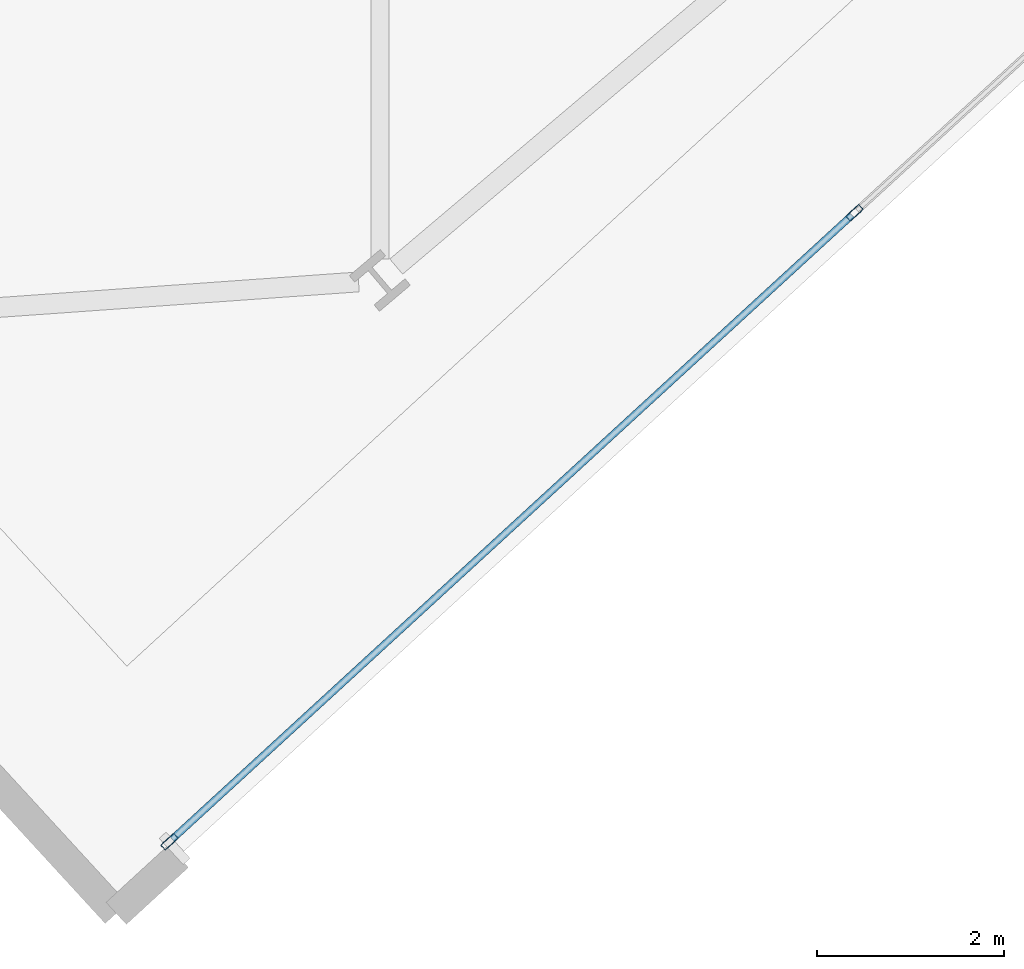
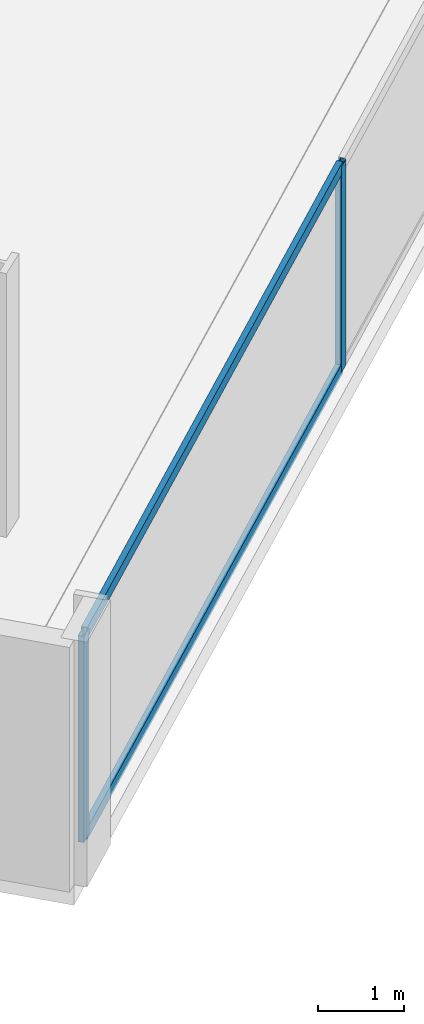
# One storey, part 6 of 32: 4 members, 1 element without a shape of its own.
"""IFC4 building model written with IfcOpenShell, lengths in metres."""

from ifc_helpers import new_model, si_unit, direction, frame, origin, origin_2d, place, context, subcontext, project, spatial, hollow_rectangle, extrude, material, material_profile, profile_set, type_object, element, aggregate, save


model = new_model("IFC4")

# Units and contexts
model_context = context("Model", 3, precision=1e-05, world=origin(), true_north=direction((0.0, 1.0)))
body_context = subcontext(model_context, "Body", "Model", "MODEL_VIEW")
ifc_project = project(units=[si_unit("LENGTHUNIT", "METRE"), si_unit("AREAUNIT", "SQUARE_METRE"), si_unit("VOLUMEUNIT", "CUBIC_METRE"), si_unit("PLANEANGLEUNIT", "RADIAN"), si_unit("MASSUNIT", "GRAM", prefix="KILO")], contexts=[model_context])

# Site, building, storey
site_placement = place(None, origin())
site = spatial("IfcSite", under=ifc_project, at=site_placement, CompositionType="ELEMENT")
building_placement = place(site_placement, origin())
building = spatial("IfcBuilding", under=site, at=building_placement, Name="Haldenkirk Collegiate Tower", CompositionType="ELEMENT")
storey_placement = place(building_placement, frame((0.0, 0.0, 170.699951171875)))
storey = spatial("IfcBuildingStorey", under=building, at=storey_placement, Name="L42", CompositionType="ELEMENT", Elevation=170.699951171875)

# Curtain wall, members
ifc_material = material(Name="Anodised architectural bronze aluminium", Category="aluminium")
curtain_wall_type = type_object("IfcCurtainWallType", Name="CW-SYS2-CONCAVE", PredefinedType="USERDEFINED", material=ifc_material)
curtain_wall_placement = place(storey_placement, origin())
curtain_wall = element("IfcCurtainWall", 1, at=curtain_wall_placement, inside=storey, type_object=curtain_wall_type, Name="L42 South concave recessed bronze-anodised curtain wall", ObjectType="UNITISED CURTAIN WALL", PredefinedType="USERDEFINED")
ifc_material_profile_1 = material_profile(ifc_material, hollow_rectangle(XDim=0.074951171875, YDim=0.18994140625, WallThickness=0.0048828125, at=origin_2d()), Name="CW-MUL-02")
ifc_profile_set_1 = profile_set([ifc_material_profile_1], Name="Anodised architectural bronze aluminium")
member_type_1 = type_object("IfcMemberType", Name="CW-MUL-02", PredefinedType="MULLION", material=ifc_profile_set_1)
member_1_placement = place(storey_placement, frame((44.64111328125, 1.835693359375, 0.0), z_axis=(0.0, 0.0, 1.0), x_axis=(0.676232341046, -0.736688415087, 0.0)))
member_1 = element("IfcMember", 2, at=member_1_placement, type_object=member_type_1, Name="CW-02 mullion 4", PredefinedType="MULLION", context=body_context, shape_type="SweptSolid", body=[
    extrude(hollow_rectangle(XDim=0.074951171875, YDim=0.18994140625, WallThickness=0.0048828125, at=origin_2d()), origin(), (0.0, 0.0, 1.0), 2.9111328125),
])
member_2_placement = place(storey_placement, frame((37.3203125, -4.884521484375, 0.0), z_axis=(0.0, 0.0, 1.0), x_axis=(0.676232341046, -0.736688415087, 0.0)))
member_2 = element("IfcMember", 3, at=member_2_placement, type_object=member_type_1, Name="CW-02 mullion 5", PredefinedType="MULLION", context=body_context, shape_type="SweptSolid", body=[
    extrude(hollow_rectangle(XDim=0.074951171875, YDim=0.18994140625, WallThickness=0.0048828125, at=origin_2d()), origin(), (0.0, 0.0, 1.0), 2.9111328125),
])
ifc_material_profile_2 = material_profile(ifc_material, hollow_rectangle(XDim=0.074951171875, YDim=0.159912109375, WallThickness=0.0048828125, at=origin_2d()), Name="CW-TRN-02")
ifc_profile_set_2 = profile_set([ifc_material_profile_2], Name="Anodised architectural bronze aluminium")
member_type_2 = type_object("IfcMemberType", Name="CW-TRN-02", PredefinedType="USERDEFINED", material=ifc_profile_set_2)
member_3_placement = place(storey_placement, frame((44.613525390625, 1.810302734375, 0.03759765625), z_axis=(-0.736685407747, -0.676235617232, 0.0), x_axis=(0.676235617232, -0.736685407747, 0.0)))
member_3 = element("IfcMember", 4, at=member_3_placement, type_object=member_type_2, Name="CW-02 transom 4.1", ObjectType="TRANSOM", PredefinedType="USERDEFINED", context=body_context, shape_type="SweptSolid", body=[
    extrude(hollow_rectangle(XDim=0.074951171875, YDim=0.159912109375, WallThickness=0.0048828125, at=origin_2d()), origin(), (0.0, 0.0, 1.0), 9.862548828125),
])
member_4_placement = place(storey_placement, frame((44.613525390625, 1.810302734375, 2.87353515625), z_axis=(-0.736685407747, -0.676235617232, 0.0), x_axis=(0.676235617232, -0.736685407747, 0.0)))
member_4 = element("IfcMember", 5, at=member_4_placement, type_object=member_type_2, Name="CW-02 transom 4.2", ObjectType="TRANSOM", PredefinedType="USERDEFINED", context=body_context, shape_type="SweptSolid", body=[
    extrude(hollow_rectangle(XDim=0.074951171875, YDim=0.159912109375, WallThickness=0.0048828125, at=origin_2d()), origin(), (0.0, 0.0, 1.0), 9.862548828125),
])
aggregate(curtain_wall, [member_1, member_2, member_3, member_4])

save(model, "model.ifc")
